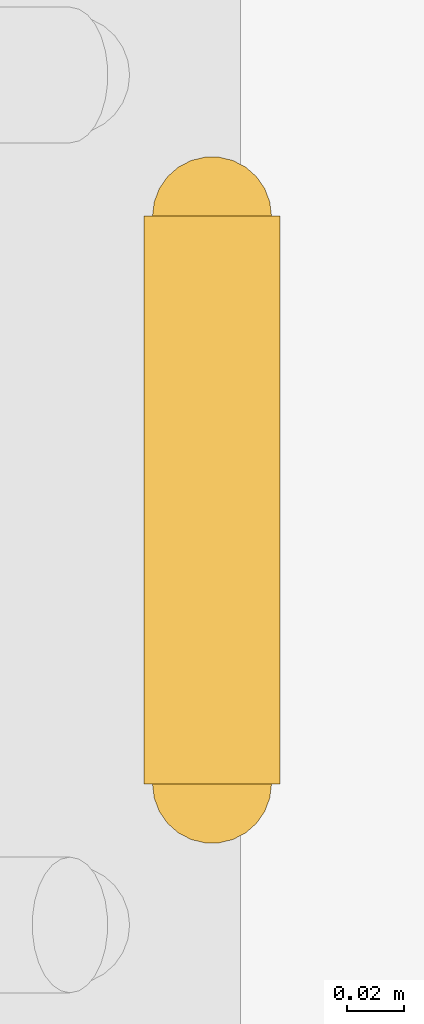
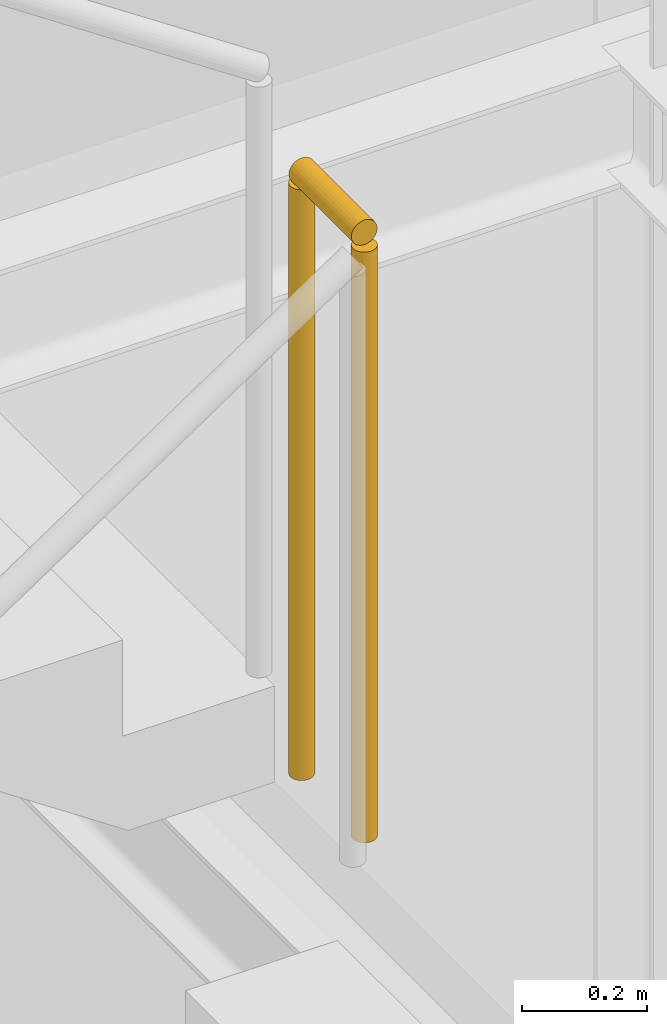
# One storey, part 72 of 73: 1 railing.
"""IFC4 building model written with IfcOpenShell, lengths in metres."""

from ifc_helpers import new_model, si_unit, direction, frame, origin, origin_2d, place, context, subcontext, project, spatial, circle, extrude, material, type_object, element, save


model = new_model("IFC4")

# Units and contexts
model_context = context("Model", 3, precision=1e-05, world=origin(), true_north=direction((0.0, 1.0)))
body_context = subcontext(model_context, "Body", "Model", "MODEL_VIEW")
ifc_project = project(units=[si_unit("LENGTHUNIT", "METRE"), si_unit("AREAUNIT", "SQUARE_METRE"), si_unit("VOLUMEUNIT", "CUBIC_METRE"), si_unit("PLANEANGLEUNIT", "RADIAN"), si_unit("MASSUNIT", "GRAM", prefix="KILO")], contexts=[model_context])

# Site, building, storey
site_placement = place(None, origin())
site = spatial("IfcSite", under=ifc_project, at=site_placement, CompositionType="ELEMENT")
building_placement = place(site_placement, origin())
building = spatial("IfcBuilding", under=site, at=building_placement, Name="Alderhovde Museum", CompositionType="ELEMENT")
storey_placement = place(building_placement, frame((0.0, 0.0, 12.89990234375)))
storey = spatial("IfcBuildingStorey", under=building, at=storey_placement, Name="L03", CompositionType="ELEMENT", Elevation=12.89990234375)

# Railing
ifc_material = material(Name="Painted Steel S355 Guardrail", Category="steel")
railing_type = type_object("IfcRailingType", Name="RL-GUARD-1200", PredefinedType="GUARDRAIL", material=ifc_material)
railing_placement = place(storey_placement, frame((130.81005859375, 74.8798828125, 2.25)))
element("IfcRailing", 1, at=railing_placement, inside=storey, type_object=railing_type, Name="L03 ST4 stair guard 2", PredefinedType="GUARDRAIL", context=body_context, shape_type="SweptSolid", body=[
    extrude(circle(Radius=0.02392578125, at=origin_2d()), frame((0.0, 0.0, 1.17578125), z_axis=(0.0, 1.0, 0.0), x_axis=(-1.0, 0.0, 0.0)), (0.0, 0.0, 1.0), 0.2001953125),
    extrude(circle(Radius=0.02099609375, at=origin_2d()), origin(), (0.0, 0.0, 1.0), 1.15185546875),
    extrude(circle(Radius=0.02099609375, at=origin_2d()), frame((0.0, 0.2001953125, 0.0)), (0.0, 0.0, 1.0), 1.15185546875),
])

save(model, "model.ifc")
